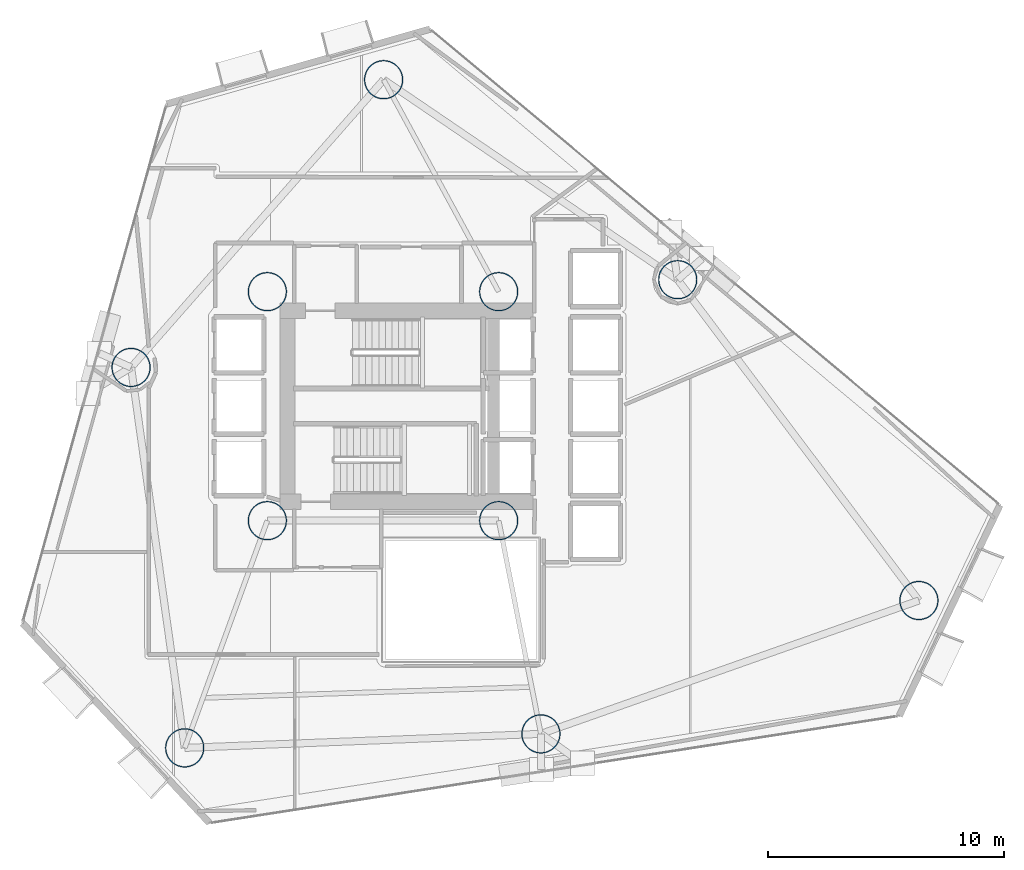
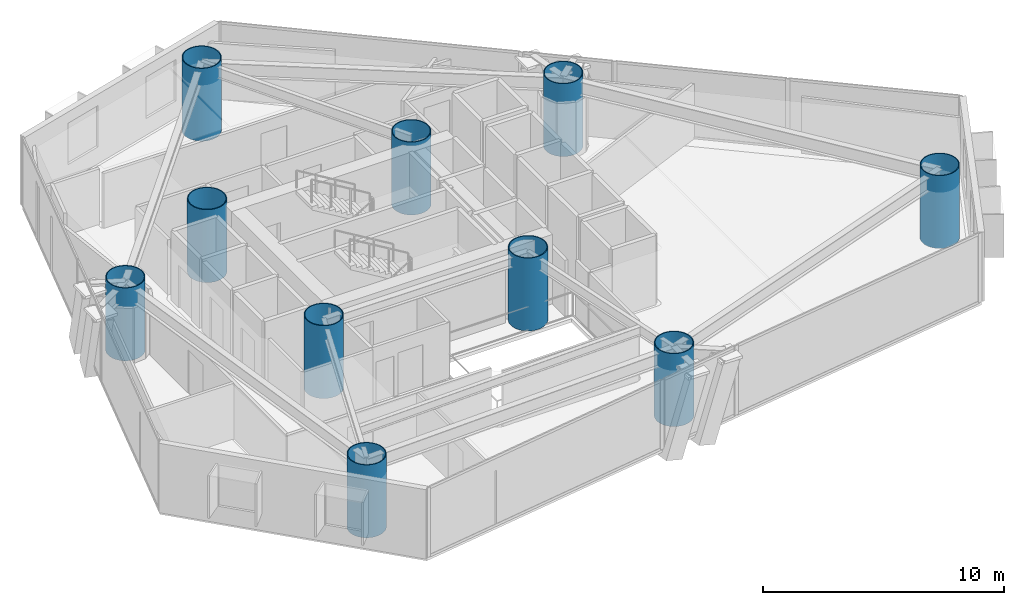
# One storey, part 1 of 23: 10 columns.
"""IFC4 building model written with IfcOpenShell, lengths in metres."""

from ifc_helpers import new_model, si_unit, direction, frame, origin, origin_2d, place, context, subcontext, project, spatial, hollow_circle, extrude, material, material_profile, profile_set, type_object, element, save


model = new_model("IFC4")

# Units and contexts
model_context = context("Model", 3, precision=1e-05, world=origin(), true_north=direction((0.0, 1.0)))
body_context = subcontext(model_context, "Body", "Model", "MODEL_VIEW")
ifc_project = project(units=[si_unit("LENGTHUNIT", "METRE"), si_unit("AREAUNIT", "SQUARE_METRE"), si_unit("VOLUMEUNIT", "CUBIC_METRE"), si_unit("PLANEANGLEUNIT", "RADIAN"), si_unit("MASSUNIT", "GRAM", prefix="KILO")], contexts=[model_context])

# Site, building, storey
site_placement = place(None, origin())
site = spatial("IfcSite", under=ifc_project, at=site_placement, CompositionType="ELEMENT")
building_placement = place(site_placement, origin())
building = spatial("IfcBuilding", under=site, at=building_placement, Name="Qianvela Tower", CompositionType="ELEMENT")
storey_placement = place(building_placement, frame((0.0, 0.0, 78.39990234375)))
storey = spatial("IfcBuildingStorey", under=building, at=storey_placement, Name="L19", CompositionType="ELEMENT", Elevation=78.39990234375)

# Columns
ifc_material = material(Name="Steel Q420GJC", Category="steel")
ifc_material_profile = material_profile(ifc_material, hollow_circle(Radius=0.824951171875, WallThickness=0.0400390625, at=origin_2d()), Name="CFT-1650x40")
ifc_profile_set = profile_set([ifc_material_profile], Name="Steel Q420GJC")
column_type = type_object("IfcColumnType", Name="COL-CFT-1650x40", PredefinedType="COLUMN", material=ifc_profile_set)
for number, where, z_axis, x_axis, name in (
    (1, (28.60009765625, 33.550048828125, 0.0), (0.0, 0.0, 1.0), (1.0, 0.0, 0.0), "L19 Core Corner Mega-Column CC-NW"),
    (2, (28.60009765625, 23.85009765625, 0.0), (0.0, 0.0, 1.0), (1.0, 0.0, 0.0), "L19 Core Corner Mega-Column CC-SW"),
    (3, (38.39990234375, 33.550048828125, 0.0), (0.0, 0.0, 1.0), (1.0, 0.0, 0.0), "L19 Core Corner Mega-Column CC-NE"),
    (4, (38.39990234375, 23.85009765625, 0.0), (0.0, 0.0, 1.0), (1.0, 0.0, 0.0), "L19 Core Corner Mega-Column CC-SE"),
    (5, (56.198974609375, 20.468017578125, 0.0), (0.0, 0.0, 1.0), (1.0, 0.0, 0.0), "L19 Zone Z2 CFT Mega-Column C1"),
    (6, (45.98388671875, 34.056884765625, 0.0), (0.0, 0.0, 1.0), (1.0, 0.0, 0.0), "L19 Zone Z2 CFT Mega-Column C2"),
    (7, (33.52587890625, 42.529052734375, 0.0), (0.0, 0.0, 1.0), (1.0, 0.0, 0.0), "L19 Zone Z2 CFT Mega-Column C3"),
    (8, (22.8291015625, 30.340087890625, 0.0), (0.0, 0.0, 1.0), (1.0, 0.0, 0.0), "L19 Zone Z2 CFT Mega-Column C4"),
    (9, (25.10009765625, 14.22509765625, 0.0), (0.0, 0.0, 1.0), (1.0, 0.0, 0.0), "L19 Zone Z2 CFT Mega-Column C5"),
    (10, (40.18896484375, 14.819091796875, 0.0), (0.0, 0.0, 1.0), (1.0, 0.0, 0.0), "L19 Zone Z2 CFT Mega-Column C6"),
):
    element("IfcColumn", number, at=place(storey_placement, frame(where, z_axis=z_axis, x_axis=x_axis)), inside=storey, type_object=column_type, Name=name, PredefinedType="COLUMN", context=body_context, shape_type="SweptSolid", body=[
        extrude(hollow_circle(Radius=0.824951171875, WallThickness=0.0400390625, at=origin_2d()), origin(), (0.0, 0.0, 1.0), 3.7001953125),
    ])

save(model, "model.ifc")
